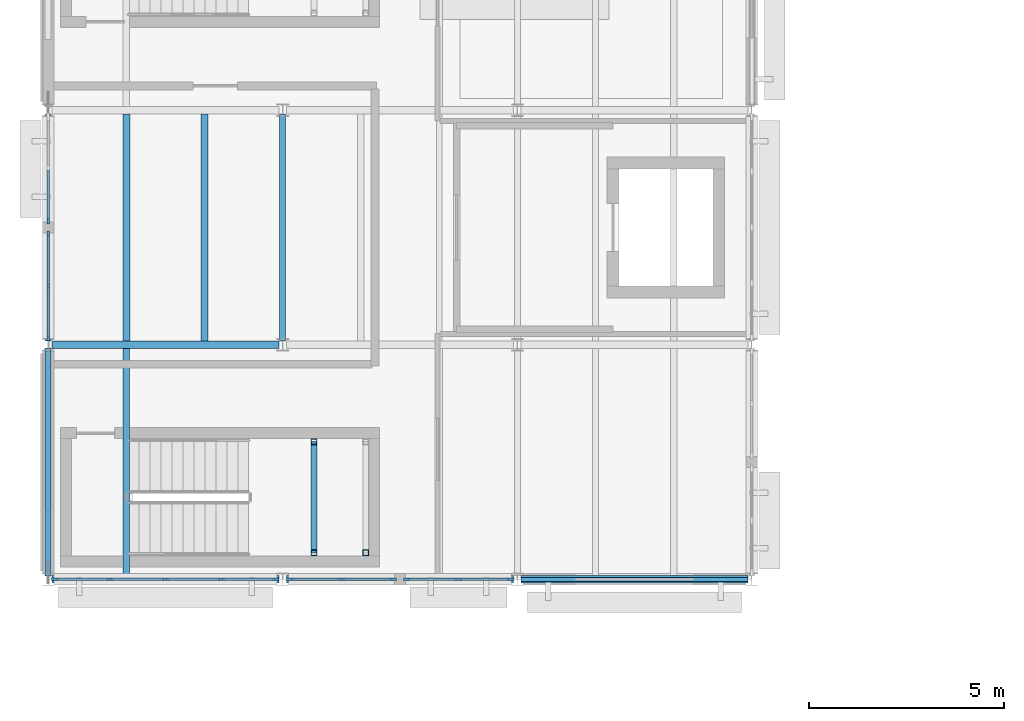
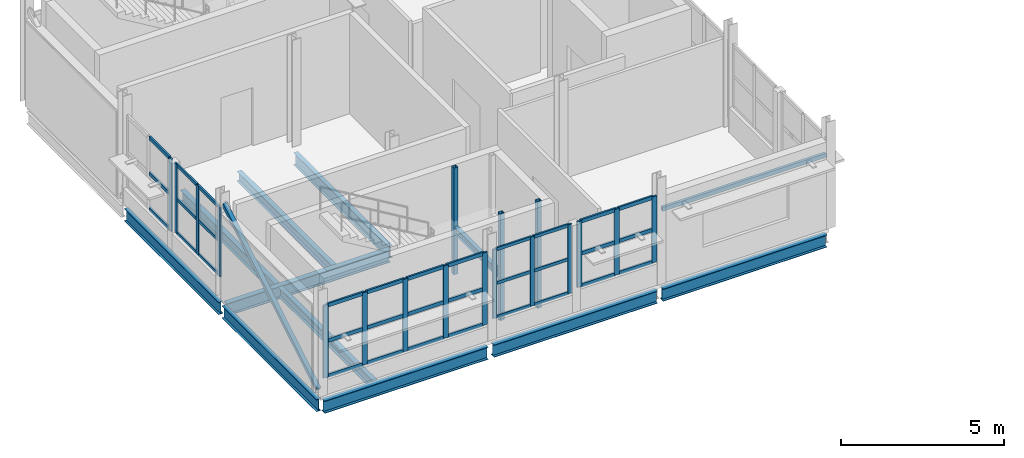
# One storey, part 3 of 23: 52 members, 12 beams, 5 elements without a shape of their own.
"""IFC4 building model written with IfcOpenShell, lengths in metres."""

import ifcopenshell
import ifcopenshell.guid

model = None  # the IFC model being written
_history = None  # IfcOwnerHistory: only IFC2X3 demands one
_inside = {}  # id of a spatial element -> (the spatial element, [elements in it])
_under = {}  # id of a project, library or spatial element -> (it, [spatial elements below it])
_declared = {}  # id of a project -> (the project, [libraries it declares])
_typed = {}  # id of a type object -> (the type object, [elements of that type])
_made_of = {}  # id of a material, layer set ... -> (it, [elements and type objects made of it])


def new_model(schema):
    """Start an empty IFC model of exactly this schema.

    Asked for "IFC4X3", IfcOpenShell would pick the latest addendum, in which some entities
    have other attributes; the version numbers below select the first issue.
    IFC2X3 requires an IfcOwnerHistory on every rooted entity: one is made here for all.
    """
    global model, _history
    if schema == "IFC4X3":
        model = ifcopenshell.file(schema_version=(4, 3, 0, 0))
    else:
        model = ifcopenshell.file(schema=schema)
    _inside.clear()
    _under.clear()
    _declared.clear()
    _typed.clear()
    _made_of.clear()
    _history = None
    if model.schema == "IFC2X3":
        org = make("IfcOrganization", Name="unknown")
        user = make(
            "IfcPersonAndOrganization",
            ThePerson=make("IfcPerson", FamilyName="unknown"),
            TheOrganization=org,
        )
        app = make(
            "IfcApplication",
            ApplicationDeveloper=org,
            Version="unknown",
            ApplicationFullName="unknown",
            ApplicationIdentifier="unknown",
        )
        _history = make(
            "IfcOwnerHistory",
            OwningUser=user,
            OwningApplication=app,
            ChangeAction="ADDED",
            CreationDate=0,
        )
    return model


def make(cls, **values):
    """One entity of the class cls with the attributes given. An attribute that is None is left unset."""
    return model.create_entity(
        cls, **{name: value for name, value in values.items() if value is not None}
    )


def rooted(cls, **values):
    """An entity with a GlobalId (a new one), such as an element, a storey or a relation."""
    return make(cls, GlobalId=ifcopenshell.guid.new(), OwnerHistory=_history, **values)


def si_unit(unit_type, name, prefix=None):
    """IfcSIUnit, for example si_unit("LENGTHUNIT", "METRE", prefix="MILLI")."""
    return make("IfcSIUnit", UnitType=unit_type, Prefix=prefix, Name=name)


def assignment(units):
    """IfcUnitAssignment: the units of a project."""
    return None if units is None else make("IfcUnitAssignment", Units=units)


def point(xyz):
    """IfcCartesianPoint."""
    return None if xyz is None else make("IfcCartesianPoint", Coordinates=xyz)


def direction(xyz):
    """IfcDirection."""
    return None if xyz is None else make("IfcDirection", DirectionRatios=xyz)


def frame(location, z_axis=None, x_axis=None):
    """IfcAxis2Placement3D, a coordinate frame: its origin and axes. An axis left out is left unset."""
    return make(
        "IfcAxis2Placement3D",
        Location=point(location),
        Axis=direction(z_axis),
        RefDirection=direction(x_axis),
    )


def frame_2d(location, x_axis=None):
    """IfcAxis2Placement2D, a coordinate frame in the plane: its origin and x axis."""
    return make(
        "IfcAxis2Placement2D", Location=point(location), RefDirection=direction(x_axis)
    )


def origin():
    """The frame at (0, 0, 0) with its axes left unset."""
    return frame((0.0, 0.0, 0.0))


def origin_2d():
    """The frame at (0, 0) in the plane with its x axis left unset."""
    return frame_2d((0.0, 0.0))


def place(relative_to, where):
    """IfcLocalPlacement: puts the frame where relative to a parent placement (None: the world)."""
    return make(
        "IfcLocalPlacement", PlacementRelTo=relative_to, RelativePlacement=where
    )


def context(
    kind, dimensions, precision=None, world=None, true_north=None, identifier=None
):
    """IfcGeometricRepresentationContext, for example the 3D "Model" context."""
    return make(
        "IfcGeometricRepresentationContext",
        ContextIdentifier=identifier,
        ContextType=kind,
        CoordinateSpaceDimension=dimensions,
        Precision=precision,
        WorldCoordinateSystem=world,
        TrueNorth=true_north,
    )


def subcontext(parent, identifier, kind, view, scale=None):
    """IfcGeometricRepresentationSubContext, for example "Body" below "Model"."""
    return make(
        "IfcGeometricRepresentationSubContext",
        ContextIdentifier=identifier,
        ContextType=kind,
        ParentContext=parent,
        TargetScale=scale,
        TargetView=view,
    )


def project(units=None, contexts=None):
    """IfcProject with its units and contexts."""
    return rooted(
        "IfcProject",
        Name="project",
        RepresentationContexts=contexts,
        UnitsInContext=assignment(units),
    )


def spatial(cls, under=None, at=None, **own):
    """A site, building, storey or space (cls), placed at a placement, below another one or the project."""
    s = rooted(cls, ObjectPlacement=at, **own)
    if under is not None:
        _under.setdefault(under.id(), (under, []))[1].append(s)
    return s


def profile(cls, at=None, kind="AREA", **sizes):
    """A parametric profile (cls). Its sizes go by their IFC names, for example OverallWidth=200.0."""
    return make(cls, ProfileType=kind, Position=at, **sizes)


def rectangle(**sizes):
    """IfcRectangleProfileDef."""
    return profile("IfcRectangleProfileDef", **sizes)


def hollow_rectangle(**sizes):
    """IfcRectangleHollowProfileDef."""
    return profile("IfcRectangleHollowProfileDef", **sizes)


def i_section(**sizes):
    """IfcIShapeProfileDef."""
    return profile("IfcIShapeProfileDef", **sizes)


def extrude(swept, where, along, depth):
    """IfcExtrudedAreaSolid: the profile swept, set in the frame where, extruded along a direction by depth."""
    return make(
        "IfcExtrudedAreaSolid",
        SweptArea=swept,
        Position=where,
        ExtrudedDirection=direction(along),
        Depth=depth,
    )


def shape(context_of_items, identifier, shape_type, items):
    """IfcShapeRepresentation: the items that make up one representation, for example the "Body"."""
    return make(
        "IfcShapeRepresentation",
        ContextOfItems=context_of_items,
        RepresentationIdentifier=identifier,
        RepresentationType=shape_type,
        Items=items,
    )


def material(Name=None, Category=None):
    """IfcMaterial."""
    return make("IfcMaterial", Name=Name, Category=Category)


def material_profile(
    of_material, cross_section, Name=None, Category=None, Priority=None
):
    """IfcMaterialProfile: a cross section and its material."""
    return make(
        "IfcMaterialProfile",
        Name=Name,
        Material=of_material,
        Profile=cross_section,
        Priority=Priority,
        Category=Category,
    )


def profile_set(profiles, Name=None, composite=None):
    """IfcMaterialProfileSet."""
    return make(
        "IfcMaterialProfileSet",
        Name=Name,
        MaterialProfiles=profiles,
        CompositeProfile=composite,
    )


def made_of(thing, what):
    """Note that an element or type object is made of a material, layer set ...; save() writes the relation."""
    if what is not None:
        _made_of.setdefault(what.id(), (what, []))[1].append(thing)
    return thing


def type_object(cls, material=None, **own):
    """A type object (cls), such as IfcWallType, which elements share."""
    return made_of(rooted(cls, **own), material)


def element(
    cls,
    number,
    at=None,
    inside=None,
    cuts=None,
    type_object=None,
    material=None,
    context=None,
    identifier="Body",
    shape_type=None,
    held_by="IfcProductDefinitionShape",
    body=None,
    shapes=None,
    **own,
):
    """One element of the class cls, such as IfcWall. Its Tag is "e" and its number.

    at: its placement. inside: the storey or other place that contains it. cuts: it is an
    opening in that element (IfcRelVoidsElement). A single representation is given by context,
    identifier, shape_type and body (its items); several are given by shapes. held_by: the class
    of the entity that holds the representations. save() writes the other relations.
    """
    e = rooted(cls, Tag="e%d" % number, ObjectPlacement=at, **own)
    if body is not None:
        shapes = [shape(context, identifier, shape_type, body)]
    if shapes is not None:
        e.Representation = make(held_by, Representations=shapes)
    if inside is not None:
        _inside.setdefault(inside.id(), (inside, []))[1].append(e)
    if cuts is not None:
        rooted(
            "IfcRelVoidsElement", RelatingBuildingElement=cuts, RelatedOpeningElement=e
        )
    if type_object is not None:
        _typed.setdefault(type_object.id(), (type_object, []))[1].append(e)
    return made_of(e, material)


def aggregate(whole, parts):
    """IfcRelAggregates: a whole, such as a stair, and the parts it consists of."""
    return rooted("IfcRelAggregates", RelatingObject=whole, RelatedObjects=parts)


def save(model, path):
    """Write the relations noted so far, then the file.

    IfcRelAggregates (storeys below a building ...), IfcRelContainedInSpatialStructure (elements
    in a storey), IfcRelDefinesByType, IfcRelAssociatesMaterial and IfcRelDeclares: one each for
    every whole, place, type object, material and project.
    """
    for whole, parts in _under.values():
        aggregate(whole, parts)
    for where, things in _inside.values():
        rooted(
            "IfcRelContainedInSpatialStructure",
            RelatedElements=things,
            RelatingStructure=where,
        )
    for kind, things in _typed.values():
        rooted("IfcRelDefinesByType", RelatedObjects=things, RelatingType=kind)
    for what, things in _made_of.values():
        rooted("IfcRelAssociatesMaterial", RelatedObjects=things, RelatingMaterial=what)
    for by, libraries in _declared.values():
        rooted("IfcRelDeclares", RelatingContext=by, RelatedDefinitions=libraries)
    model.write(path)


model = new_model("IFC4")

# Units and contexts
model_context = context("Model", 3, precision=1e-05, world=origin(), true_north=direction((0.0, 1.0)))
body_context = subcontext(model_context, "Body", "Model", "MODEL_VIEW")
ifc_project = project(units=[si_unit("LENGTHUNIT", "METRE"), si_unit("AREAUNIT", "SQUARE_METRE"), si_unit("VOLUMEUNIT", "CUBIC_METRE"), si_unit("PLANEANGLEUNIT", "RADIAN"), si_unit("MASSUNIT", "GRAM", prefix="KILO")], contexts=[model_context])

# Site, building, storey
site_placement = place(None, origin())
site = spatial("IfcSite", under=ifc_project, at=site_placement, CompositionType="ELEMENT")
building_placement = place(site_placement, origin())
building = spatial("IfcBuilding", under=site, at=building_placement, Name="Siltcreek Boulevard Central Fire Station", CompositionType="ELEMENT")
storey_placement = place(building_placement, frame((0.0, 0.0, 14.0)))
storey = spatial("IfcBuildingStorey", under=building, at=storey_placement, Name="L04", CompositionType="ELEMENT", Elevation=14.0)

# Beams
ifc_material_1 = material(Name="Structural steel ASTM A992 Gr50", Category="steel")
ifc_material_profile_1 = material_profile(ifc_material_1, i_section(OverallWidth=0.154052734375, OverallDepth=0.458984375, WebThickness=0.009033203125, FlangeThickness=0.015380859375, at=origin_2d()), Name="W460X68")
ifc_profile_set_1 = profile_set([ifc_material_profile_1], Name="Structural steel ASTM A992 Gr50")
beam_type_1 = type_object("IfcBeamType", Name="BM_W460X68", PredefinedType="BEAM", material=ifc_profile_set_1)
for number, where, z_axis, x_axis, name in (
    (1, (42.0, 94.300048828125, -0.489501953125), (0.0, 1.0, 0.0), (-1.0, 0.0, 0.0), "L04 primary steel girder GY-0528"),
    (2, (42.0, 100.300048828125, -0.489501953125), (0.0, 1.0, 0.0), (-1.0, 0.0, 0.0), "L04 primary steel girder GY-0529"),
    (3, (48.0, 100.300048828125, -0.489501953125), (0.0, 1.0, 0.0), (-1.0, 0.0, 0.0), "L04 primary steel girder GY-0531"),
):
    element("IfcBeam", number, at=place(storey_placement, frame(where, z_axis=z_axis, x_axis=x_axis)), inside=storey, type_object=beam_type_1, Name=name, PredefinedType="BEAM", context=body_context, shape_type="SweptSolid", body=[
        extrude(i_section(OverallWidth=0.154052734375, OverallDepth=0.458984375, WebThickness=0.009033203125, FlangeThickness=0.015380859375, at=origin_2d()), origin(), (0.0, 0.0, 1.0), 5.800048828125),
    ])
ifc_material_profile_2 = material_profile(ifc_material_1, i_section(OverallWidth=0.19189453125, OverallDepth=0.462890625, WebThickness=0.010498046875, FlangeThickness=0.017578125, at=origin_2d()), Name="W460X89")
ifc_profile_set_2 = profile_set([ifc_material_profile_2], Name="Structural steel ASTM A992 Gr50")
beam_type_2 = type_object("IfcBeamType", Name="BM_W460X89", PredefinedType="BEAM", material=ifc_profile_set_2)
for number, where, z_axis, x_axis, name in (
    (4, (42.10009765625, 94.199951171875, -0.491455078125), (1.0, 0.0, 0.0), (0.0, 1.0, 0.0), "L04 primary steel girder GX-0516"),
    (5, (48.10009765625, 94.199951171875, -0.491455078125), (1.0, 0.0, 0.0), (0.0, 1.0, 0.0), "L04 primary steel girder GX-0517"),
    (6, (54.10009765625, 94.199951171875, -0.491455078125), (1.0, 0.0, 0.0), (0.0, 1.0, 0.0), "L04 primary steel girder GX-0518"),
    (7, (42.10009765625, 100.199951171875, -0.491455078125), (1.0, 0.0, 0.0), (0.0, 1.0, 0.0), "L04 primary steel girder GX-0519"),
):
    element("IfcBeam", number, at=place(storey_placement, frame(where, z_axis=z_axis, x_axis=x_axis)), inside=storey, type_object=beam_type_2, Name=name, PredefinedType="BEAM", context=body_context, shape_type="SweptSolid", body=[
        extrude(i_section(OverallWidth=0.19189453125, OverallDepth=0.462890625, WebThickness=0.010498046875, FlangeThickness=0.017578125, at=origin_2d()), origin(), (0.0, 0.0, 1.0), 5.7998046875),
    ])

# Members
ifc_material_2 = material(Name="Structural steel ASTM A500 GrC", Category="steel")
ifc_material_profile_3 = material_profile(ifc_material_2, hollow_rectangle(XDim=0.14990234375, YDim=0.14990234375, WallThickness=0.008056640625, at=origin_2d()), Name="HSS150X150X8.0")
ifc_profile_set_3 = profile_set([ifc_material_profile_3], Name="Structural steel ASTM A500 GrC")
member_type_1 = type_object("IfcMemberType", Name="BR_HSS150_8", PredefinedType="BRACE", material=ifc_profile_set_3)
member_1_placement = place(storey_placement, frame((42.0, 94.320068359375, 0.10009765625), z_axis=(0.0, 0.857890513261, 0.513832528415), x_axis=(-1.0, 0.0, 0.0)))
element("IfcMember", 8, at=member_1_placement, inside=storey, type_object=member_type_1, Name="L04 SCBF concentrically braced frame BR-016", PredefinedType="BRACE", context=body_context, shape_type="SweptSolid", body=[
    extrude(hollow_rectangle(XDim=0.14990234375, YDim=0.14990234375, WallThickness=0.008056640625, at=origin_2d()), origin(), (0.0, 0.0, 1.0), 6.714111328125),
])
for number, where, z_axis, x_axis, name in (
    (9, (48.800048828125, 94.8798828125, 0.0), (0.0, 0.0, 1.0), (1.0, 0.0, 0.0), "L04 ST-V3A stair landing corner post SW"),
    (10, (48.800048828125, 97.719970703125, 0.0), (0.0, 0.0, 1.0), (1.0, 0.0, 0.0), "L04 ST-V3A stair landing corner post NW"),
    (11, (50.1201171875, 94.8798828125, 0.0), (0.0, 0.0, 1.0), (1.0, 0.0, 0.0), "L04 ST-V3A stair landing corner post SE"),
):
    element("IfcMember", number, at=place(storey_placement, frame(where, z_axis=z_axis, x_axis=x_axis)), inside=storey, type_object=member_type_1, Name=name, PredefinedType="BRACE", context=body_context, shape_type="SweptSolid", body=[
        extrude(hollow_rectangle(XDim=0.14990234375, YDim=0.14990234375, WallThickness=0.008056640625, at=origin_2d()), origin(), (0.0, 0.0, 1.0), 4.0),
    ])

# Curtain wall, members
ifc_material_3 = material(Name="Anodized aluminum and low-E insulated glazing", Category="aluminium")
curtain_wall_type_1 = type_object("IfcCurtainWallType", Name="CW_SYS_28", PredefinedType="USERDEFINED", material=ifc_material_3)
curtain_wall_1_placement = place(storey_placement, origin())
curtain_wall_1 = element("IfcCurtainWall", 12, at=curtain_wall_1_placement, inside=storey, type_object=curtain_wall_type_1, Name="L04 V3 unitised curtain wall CW-057", ObjectType="CURTAIN WALL", PredefinedType="USERDEFINED")
ifc_material_4 = material(Name="Anodized 6063-T6 aluminum framing", Category="aluminium")
ifc_material_profile_4 = material_profile(ifc_material_4, rectangle(XDim=0.06005859375, YDim=0.14990234375, at=origin_2d()), Name="MULL60X150")
ifc_profile_set_4 = profile_set([ifc_material_profile_4], Name="Anodized 6063-T6 aluminum framing")
member_type_2 = type_object("IfcMemberType", Name="CWM_60X150", PredefinedType="MULLION", material=ifc_profile_set_4)
member_2_placement = place(storey_placement, frame((48.175048828125, 94.199951171875, 0.679931640625), z_axis=(0.0, 0.0, 1.0), x_axis=(0.0, 1.0, 0.0)))
member_2 = element("IfcMember", 13, at=member_2_placement, type_object=member_type_2, Name="CW-057 mullion 1", PredefinedType="MULLION", context=body_context, shape_type="SweptSolid", body=[
    extrude(rectangle(XDim=0.06005859375, YDim=0.14990234375, at=origin_2d()), origin(), (0.0, 0.0, 1.0), 2.589111328125),
])
member_3_placement = place(storey_placement, frame((49.50244140625, 94.199951171875, 0.679931640625), z_axis=(0.0, 0.0, 1.0), x_axis=(0.0, 1.0, 0.0)))
member_3 = element("IfcMember", 14, at=member_3_placement, type_object=member_type_2, Name="CW-057 mullion 2", PredefinedType="MULLION", context=body_context, shape_type="SweptSolid", body=[
    extrude(rectangle(XDim=0.06005859375, YDim=0.14990234375, at=origin_2d()), origin(), (0.0, 0.0, 1.0), 2.589111328125),
])
member_4_placement = place(storey_placement, frame((50.830078125, 94.199951171875, 0.679931640625), z_axis=(0.0, 0.0, 1.0), x_axis=(0.0, 1.0, 0.0)))
member_4 = element("IfcMember", 15, at=member_4_placement, type_object=member_type_2, Name="CW-057 mullion 3", PredefinedType="MULLION", context=body_context, shape_type="SweptSolid", body=[
    extrude(rectangle(XDim=0.06005859375, YDim=0.14990234375, at=origin_2d()), origin(), (0.0, 0.0, 1.0), 2.589111328125),
])

curtain_wall_type_2 = type_object("IfcCurtainWallType", Name="CW_SYS_04", PredefinedType="USERDEFINED", material=ifc_material_3)
curtain_wall_2_placement = place(storey_placement, origin())
curtain_wall_2 = element("IfcCurtainWall", 16, at=curtain_wall_2_placement, inside=storey, type_object=curtain_wall_type_2, Name="L04 V3 unitised curtain wall CW-063", ObjectType="CURTAIN WALL", PredefinedType="USERDEFINED")
member_5_placement = place(storey_placement, frame((42.0, 103.030029296875, 0.679931640625), z_axis=(0.0, 0.0, 1.0), x_axis=(1.0, 0.0, 0.0)))
member_5 = element("IfcMember", 17, at=member_5_placement, type_object=member_type_2, Name="CW-063 mullion 1", PredefinedType="MULLION", context=body_context, shape_type="SweptSolid", body=[
    extrude(rectangle(XDim=0.06005859375, YDim=0.14990234375, at=origin_2d()), origin(), (0.0, 0.0, 1.0), 2.593017578125),
])
member_6_placement = place(storey_placement, frame((42.0, 101.702392578125, 0.679931640625), z_axis=(0.0, 0.0, 1.0), x_axis=(1.0, 0.0, 0.0)))
member_6 = element("IfcMember", 18, at=member_6_placement, type_object=member_type_2, Name="CW-063 mullion 2", PredefinedType="MULLION", context=body_context, shape_type="SweptSolid", body=[
    extrude(rectangle(XDim=0.06005859375, YDim=0.14990234375, at=origin_2d()), origin(), (0.0, 0.0, 1.0), 2.593017578125),
])
member_7_placement = place(storey_placement, frame((42.0, 100.375, 0.679931640625), z_axis=(0.0, 0.0, 1.0), x_axis=(1.0, 0.0, 0.0)))
member_7 = element("IfcMember", 19, at=member_7_placement, type_object=member_type_2, Name="CW-063 mullion 3", PredefinedType="MULLION", context=body_context, shape_type="SweptSolid", body=[
    extrude(rectangle(XDim=0.06005859375, YDim=0.14990234375, at=origin_2d()), origin(), (0.0, 0.0, 1.0), 2.593017578125),
])

curtain_wall_type_3 = type_object("IfcCurtainWallType", Name="CW_SYS_27", PredefinedType="USERDEFINED", material=ifc_material_3)
curtain_wall_3_placement = place(storey_placement, origin())
curtain_wall_3 = element("IfcCurtainWall", 20, at=curtain_wall_3_placement, inside=storey, type_object=curtain_wall_type_3, Name="L04 V3 unitised curtain wall CW-056", ObjectType="CURTAIN WALL", PredefinedType="USERDEFINED")
ifc_material_profile_5 = material_profile(ifc_material_4, rectangle(XDim=0.06494140625, YDim=0.175048828125, at=origin_2d()), Name="MULL65X175")
ifc_profile_set_5 = profile_set([ifc_material_profile_5], Name="Anodized 6063-T6 aluminum framing")
member_type_3 = type_object("IfcMemberType", Name="CWM_65X175", PredefinedType="MULLION", material=ifc_profile_set_5)
member_8_placement = place(storey_placement, frame((42.177490234375, 94.199951171875, 0.56005859375), z_axis=(0.0, 0.0, 1.0), x_axis=(0.0, 1.0, 0.0)))
member_8 = element("IfcMember", 21, at=member_8_placement, type_object=member_type_3, Name="CW-056 mullion 1", PredefinedType="MULLION", context=body_context, shape_type="SweptSolid", body=[
    extrude(rectangle(XDim=0.06494140625, YDim=0.175048828125, at=origin_2d()), origin(), (0.0, 0.0, 1.0), 2.708984375),
])
member_9_placement = place(storey_placement, frame((43.572509765625, 94.199951171875, 0.56005859375), z_axis=(0.0, 0.0, 1.0), x_axis=(0.0, 1.0, 0.0)))
member_9 = element("IfcMember", 22, at=member_9_placement, type_object=member_type_3, Name="CW-056 mullion 2", PredefinedType="MULLION", context=body_context, shape_type="SweptSolid", body=[
    extrude(rectangle(XDim=0.06494140625, YDim=0.175048828125, at=origin_2d()), origin(), (0.0, 0.0, 1.0), 2.708984375),
])
member_10_placement = place(storey_placement, frame((45.0, 94.199951171875, 0.56005859375), z_axis=(0.0, 0.0, 1.0), x_axis=(0.0, 1.0, 0.0)))
member_10 = element("IfcMember", 23, at=member_10_placement, type_object=member_type_3, Name="CW-056 mullion 3", PredefinedType="MULLION", context=body_context, shape_type="SweptSolid", body=[
    extrude(rectangle(XDim=0.06494140625, YDim=0.175048828125, at=origin_2d()), origin(), (0.0, 0.0, 1.0), 2.708984375),
])
member_11_placement = place(storey_placement, frame((46.427490234375, 94.199951171875, 0.56005859375), z_axis=(0.0, 0.0, 1.0), x_axis=(0.0, 1.0, 0.0)))
member_11 = element("IfcMember", 24, at=member_11_placement, type_object=member_type_3, Name="CW-056 mullion 4", PredefinedType="MULLION", context=body_context, shape_type="SweptSolid", body=[
    extrude(rectangle(XDim=0.06494140625, YDim=0.175048828125, at=origin_2d()), origin(), (0.0, 0.0, 1.0), 2.708984375),
])
member_12_placement = place(storey_placement, frame((47.822509765625, 94.199951171875, 0.56005859375), z_axis=(0.0, 0.0, 1.0), x_axis=(0.0, 1.0, 0.0)))
member_12 = element("IfcMember", 25, at=member_12_placement, type_object=member_type_3, Name="CW-056 mullion 5", PredefinedType="MULLION", context=body_context, shape_type="SweptSolid", body=[
    extrude(rectangle(XDim=0.06494140625, YDim=0.175048828125, at=origin_2d()), origin(), (0.0, 0.0, 1.0), 2.708984375),
])

curtain_wall_type_4 = type_object("IfcCurtainWallType", Name="CW_SYS_29", PredefinedType="USERDEFINED", material=ifc_material_3)
curtain_wall_4_placement = place(storey_placement, origin())
curtain_wall_4 = element("IfcCurtainWall", 26, at=curtain_wall_4_placement, inside=storey, type_object=curtain_wall_type_4, Name="L04 V3 unitised curtain wall CW-058", ObjectType="CURTAIN WALL", PredefinedType="USERDEFINED")
member_13_placement = place(storey_placement, frame((51.172607421875, 94.199951171875, 0.800048828125), z_axis=(0.0, 0.0, 1.0), x_axis=(0.0, 1.0, 0.0)))
member_13 = element("IfcMember", 27, at=member_13_placement, type_object=member_type_3, Name="CW-058 mullion 1", PredefinedType="MULLION", context=body_context, shape_type="SweptSolid", body=[
    extrude(rectangle(XDim=0.06494140625, YDim=0.175048828125, at=origin_2d()), origin(), (0.0, 0.0, 1.0), 2.468994140625),
])
member_14_placement = place(storey_placement, frame((52.49755859375, 94.199951171875, 0.800048828125), z_axis=(0.0, 0.0, 1.0), x_axis=(0.0, 1.0, 0.0)))
member_14 = element("IfcMember", 28, at=member_14_placement, type_object=member_type_3, Name="CW-058 mullion 2", PredefinedType="MULLION", context=body_context, shape_type="SweptSolid", body=[
    extrude(rectangle(XDim=0.06494140625, YDim=0.175048828125, at=origin_2d()), origin(), (0.0, 0.0, 1.0), 2.468994140625),
])
member_15_placement = place(storey_placement, frame((53.822509765625, 94.199951171875, 0.800048828125), z_axis=(0.0, 0.0, 1.0), x_axis=(0.0, 1.0, 0.0)))
member_15 = element("IfcMember", 29, at=member_15_placement, type_object=member_type_3, Name="CW-058 mullion 3", PredefinedType="MULLION", context=body_context, shape_type="SweptSolid", body=[
    extrude(rectangle(XDim=0.06494140625, YDim=0.175048828125, at=origin_2d()), origin(), (0.0, 0.0, 1.0), 2.468994140625),
])

# Curtain wall, member
curtain_wall_type_5 = type_object("IfcCurtainWallType", Name="CW_SYS_03", PredefinedType="USERDEFINED", material=ifc_material_3)
curtain_wall_5_placement = place(storey_placement, origin())
curtain_wall_5 = element("IfcCurtainWall", 30, at=curtain_wall_5_placement, inside=storey, type_object=curtain_wall_type_5, Name="L04 V3 unitised curtain wall CW-062", ObjectType="CURTAIN WALL", PredefinedType="USERDEFINED")
member_16_placement = place(storey_placement, frame((42.0, 103.37255859375, 0.56005859375), z_axis=(0.0, 0.0, 1.0), x_axis=(1.0, 0.0, 0.0)))
member_16 = element("IfcMember", 31, at=member_16_placement, type_object=member_type_3, Name="CW-062 mullion 3", PredefinedType="MULLION", context=body_context, shape_type="SweptSolid", body=[
    extrude(rectangle(XDim=0.06494140625, YDim=0.175048828125, at=origin_2d()), origin(), (0.0, 0.0, 1.0), 2.712890625),
])

# Member
ifc_material_profile_6 = material_profile(ifc_material_4, rectangle(XDim=0.06005859375, YDim=0.114990234375, at=origin_2d()), Name="TRAN60X115")
ifc_profile_set_6 = profile_set([ifc_material_profile_6], Name="Anodized 6063-T6 aluminum framing")
member_type_4 = type_object("IfcMemberType", Name="CWT_60X115", PredefinedType="USERDEFINED", material=ifc_profile_set_6)
member_17_placement = place(storey_placement, frame((48.205078125, 94.199951171875, 0.7099609375), z_axis=(1.0, 0.0, 0.0), x_axis=(0.0, 1.0, 0.0)))
member_17 = element("IfcMember", 32, at=member_17_placement, type_object=member_type_4, Name="CW-057 transom 1.1", ObjectType="TRANSOM", PredefinedType="USERDEFINED", context=body_context, shape_type="SweptSolid", body=[
    extrude(rectangle(XDim=0.06005859375, YDim=0.114990234375, at=origin_2d()), origin(), (0.0, 0.0, 1.0), 1.267333984375),
])

member_18_placement = place(storey_placement, frame((48.205078125, 94.199951171875, 1.974609375), z_axis=(1.0, 0.0, 0.0), x_axis=(0.0, 1.0, 0.0)))
member_18 = element("IfcMember", 33, at=member_18_placement, type_object=member_type_4, Name="CW-057 transom 1.2", ObjectType="TRANSOM", PredefinedType="USERDEFINED", context=body_context, shape_type="SweptSolid", body=[
    extrude(rectangle(XDim=0.06005859375, YDim=0.114990234375, at=origin_2d()), origin(), (0.0, 0.0, 1.0), 1.267333984375),
])

member_19_placement = place(storey_placement, frame((48.205078125, 94.199951171875, 3.239013671875), z_axis=(1.0, 0.0, 0.0), x_axis=(0.0, 1.0, 0.0)))
member_19 = element("IfcMember", 34, at=member_19_placement, type_object=member_type_4, Name="CW-057 transom 1.3", ObjectType="TRANSOM", PredefinedType="USERDEFINED", context=body_context, shape_type="SweptSolid", body=[
    extrude(rectangle(XDim=0.06005859375, YDim=0.114990234375, at=origin_2d()), origin(), (0.0, 0.0, 1.0), 1.267333984375),
])

member_20_placement = place(storey_placement, frame((49.532470703125, 94.199951171875, 0.7099609375), z_axis=(1.0, 0.0, 0.0), x_axis=(0.0, 1.0, 0.0)))
member_20 = element("IfcMember", 35, at=member_20_placement, type_object=member_type_4, Name="CW-057 transom 2.1", ObjectType="TRANSOM", PredefinedType="USERDEFINED", context=body_context, shape_type="SweptSolid", body=[
    extrude(rectangle(XDim=0.06005859375, YDim=0.114990234375, at=origin_2d()), origin(), (0.0, 0.0, 1.0), 1.267578125),
])

member_21_placement = place(storey_placement, frame((49.532470703125, 94.199951171875, 1.974609375), z_axis=(1.0, 0.0, 0.0), x_axis=(0.0, 1.0, 0.0)))
member_21 = element("IfcMember", 36, at=member_21_placement, type_object=member_type_4, Name="CW-057 transom 2.2", ObjectType="TRANSOM", PredefinedType="USERDEFINED", context=body_context, shape_type="SweptSolid", body=[
    extrude(rectangle(XDim=0.06005859375, YDim=0.114990234375, at=origin_2d()), origin(), (0.0, 0.0, 1.0), 1.267578125),
])

member_22_placement = place(storey_placement, frame((49.532470703125, 94.199951171875, 3.239013671875), z_axis=(1.0, 0.0, 0.0), x_axis=(0.0, 1.0, 0.0)))
member_22 = element("IfcMember", 37, at=member_22_placement, type_object=member_type_4, Name="CW-057 transom 2.3", ObjectType="TRANSOM", PredefinedType="USERDEFINED", context=body_context, shape_type="SweptSolid", body=[
    extrude(rectangle(XDim=0.06005859375, YDim=0.114990234375, at=origin_2d()), origin(), (0.0, 0.0, 1.0), 1.267578125),
])

aggregate(curtain_wall_1, [member_2, member_3, member_4, member_17, member_18, member_19, member_20, member_21, member_22])

member_23_placement = place(storey_placement, frame((42.0, 103.0, 0.7099609375), z_axis=(0.0, -1.0, 0.0), x_axis=(1.0, 0.0, 0.0)))
member_23 = element("IfcMember", 38, at=member_23_placement, type_object=member_type_4, Name="CW-063 transom 1.1", ObjectType="TRANSOM", PredefinedType="USERDEFINED", context=body_context, shape_type="SweptSolid", body=[
    extrude(rectangle(XDim=0.06005859375, YDim=0.114990234375, at=origin_2d()), origin(), (0.0, 0.0, 1.0), 1.267578125),
])

member_24_placement = place(storey_placement, frame((42.0, 103.0, 1.9765625), z_axis=(0.0, -1.0, 0.0), x_axis=(1.0, 0.0, 0.0)))
member_24 = element("IfcMember", 39, at=member_24_placement, type_object=member_type_4, Name="CW-063 transom 1.2", ObjectType="TRANSOM", PredefinedType="USERDEFINED", context=body_context, shape_type="SweptSolid", body=[
    extrude(rectangle(XDim=0.06005859375, YDim=0.114990234375, at=origin_2d()), origin(), (0.0, 0.0, 1.0), 1.267578125),
])

member_25_placement = place(storey_placement, frame((42.0, 103.0, 3.242919921875), z_axis=(0.0, -1.0, 0.0), x_axis=(1.0, 0.0, 0.0)))
member_25 = element("IfcMember", 40, at=member_25_placement, type_object=member_type_4, Name="CW-063 transom 1.3", ObjectType="TRANSOM", PredefinedType="USERDEFINED", context=body_context, shape_type="SweptSolid", body=[
    extrude(rectangle(XDim=0.06005859375, YDim=0.114990234375, at=origin_2d()), origin(), (0.0, 0.0, 1.0), 1.267578125),
])

member_26_placement = place(storey_placement, frame((42.0, 101.672607421875, 0.7099609375), z_axis=(0.0, -1.0, 0.0), x_axis=(1.0, 0.0, 0.0)))
member_26 = element("IfcMember", 41, at=member_26_placement, type_object=member_type_4, Name="CW-063 transom 2.1", ObjectType="TRANSOM", PredefinedType="USERDEFINED", context=body_context, shape_type="SweptSolid", body=[
    extrude(rectangle(XDim=0.06005859375, YDim=0.114990234375, at=origin_2d()), origin(), (0.0, 0.0, 1.0), 1.267578125),
])

member_27_placement = place(storey_placement, frame((42.0, 101.672607421875, 1.9765625), z_axis=(0.0, -1.0, 0.0), x_axis=(1.0, 0.0, 0.0)))
member_27 = element("IfcMember", 42, at=member_27_placement, type_object=member_type_4, Name="CW-063 transom 2.2", ObjectType="TRANSOM", PredefinedType="USERDEFINED", context=body_context, shape_type="SweptSolid", body=[
    extrude(rectangle(XDim=0.06005859375, YDim=0.114990234375, at=origin_2d()), origin(), (0.0, 0.0, 1.0), 1.267578125),
])

member_28_placement = place(storey_placement, frame((42.0, 101.672607421875, 3.242919921875), z_axis=(0.0, -1.0, 0.0), x_axis=(1.0, 0.0, 0.0)))
member_28 = element("IfcMember", 43, at=member_28_placement, type_object=member_type_4, Name="CW-063 transom 2.3", ObjectType="TRANSOM", PredefinedType="USERDEFINED", context=body_context, shape_type="SweptSolid", body=[
    extrude(rectangle(XDim=0.06005859375, YDim=0.114990234375, at=origin_2d()), origin(), (0.0, 0.0, 1.0), 1.267578125),
])

aggregate(curtain_wall_2, [member_5, member_6, member_7, member_23, member_24, member_25, member_26, member_27, member_28])

ifc_material_profile_7 = material_profile(ifc_material_4, rectangle(XDim=0.06494140625, YDim=0.135009765625, at=origin_2d()), Name="TRAN65X135")
ifc_profile_set_7 = profile_set([ifc_material_profile_7], Name="Anodized 6063-T6 aluminum framing")
member_type_5 = type_object("IfcMemberType", Name="CWT_65X135", PredefinedType="USERDEFINED", material=ifc_profile_set_7)
member_29_placement = place(storey_placement, frame((42.2099609375, 94.199951171875, 0.592529296875), z_axis=(1.0, 0.0, 0.0), x_axis=(0.0, 1.0, 0.0)))
member_29 = element("IfcMember", 44, at=member_29_placement, type_object=member_type_5, Name="CW-056 transom 1.1", ObjectType="TRANSOM", PredefinedType="USERDEFINED", context=body_context, shape_type="SweptSolid", body=[
    extrude(rectangle(XDim=0.06494140625, YDim=0.135009765625, at=origin_2d()), origin(), (0.0, 0.0, 1.0), 1.330078125),
])

member_30_placement = place(storey_placement, frame((42.2099609375, 94.199951171875, 1.91455078125), z_axis=(1.0, 0.0, 0.0), x_axis=(0.0, 1.0, 0.0)))
member_30 = element("IfcMember", 45, at=member_30_placement, type_object=member_type_5, Name="CW-056 transom 1.2", ObjectType="TRANSOM", PredefinedType="USERDEFINED", context=body_context, shape_type="SweptSolid", body=[
    extrude(rectangle(XDim=0.06494140625, YDim=0.135009765625, at=origin_2d()), origin(), (0.0, 0.0, 1.0), 1.330078125),
])

member_31_placement = place(storey_placement, frame((42.2099609375, 94.199951171875, 3.236572265625), z_axis=(1.0, 0.0, 0.0), x_axis=(0.0, 1.0, 0.0)))
member_31 = element("IfcMember", 46, at=member_31_placement, type_object=member_type_5, Name="CW-056 transom 1.3", ObjectType="TRANSOM", PredefinedType="USERDEFINED", context=body_context, shape_type="SweptSolid", body=[
    extrude(rectangle(XDim=0.06494140625, YDim=0.135009765625, at=origin_2d()), origin(), (0.0, 0.0, 1.0), 1.330078125),
])

member_32_placement = place(storey_placement, frame((43.60498046875, 94.199951171875, 0.592529296875), z_axis=(1.0, 0.0, 0.0), x_axis=(0.0, 1.0, 0.0)))
member_32 = element("IfcMember", 47, at=member_32_placement, type_object=member_type_5, Name="CW-056 transom 2.1", ObjectType="TRANSOM", PredefinedType="USERDEFINED", context=body_context, shape_type="SweptSolid", body=[
    extrude(rectangle(XDim=0.06494140625, YDim=0.135009765625, at=origin_2d()), origin(), (0.0, 0.0, 1.0), 1.362548828125),
])

member_33_placement = place(storey_placement, frame((43.60498046875, 94.199951171875, 1.91455078125), z_axis=(1.0, 0.0, 0.0), x_axis=(0.0, 1.0, 0.0)))
member_33 = element("IfcMember", 48, at=member_33_placement, type_object=member_type_5, Name="CW-056 transom 2.2", ObjectType="TRANSOM", PredefinedType="USERDEFINED", context=body_context, shape_type="SweptSolid", body=[
    extrude(rectangle(XDim=0.06494140625, YDim=0.135009765625, at=origin_2d()), origin(), (0.0, 0.0, 1.0), 1.362548828125),
])

member_34_placement = place(storey_placement, frame((43.60498046875, 94.199951171875, 3.236572265625), z_axis=(1.0, 0.0, 0.0), x_axis=(0.0, 1.0, 0.0)))
member_34 = element("IfcMember", 49, at=member_34_placement, type_object=member_type_5, Name="CW-056 transom 2.3", ObjectType="TRANSOM", PredefinedType="USERDEFINED", context=body_context, shape_type="SweptSolid", body=[
    extrude(rectangle(XDim=0.06494140625, YDim=0.135009765625, at=origin_2d()), origin(), (0.0, 0.0, 1.0), 1.362548828125),
])

member_35_placement = place(storey_placement, frame((45.032470703125, 94.199951171875, 0.592529296875), z_axis=(1.0, 0.0, 0.0), x_axis=(0.0, 1.0, 0.0)))
member_35 = element("IfcMember", 50, at=member_35_placement, type_object=member_type_5, Name="CW-056 transom 3.1", ObjectType="TRANSOM", PredefinedType="USERDEFINED", context=body_context, shape_type="SweptSolid", body=[
    extrude(rectangle(XDim=0.06494140625, YDim=0.135009765625, at=origin_2d()), origin(), (0.0, 0.0, 1.0), 1.362548828125),
])

member_36_placement = place(storey_placement, frame((45.032470703125, 94.199951171875, 1.91455078125), z_axis=(1.0, 0.0, 0.0), x_axis=(0.0, 1.0, 0.0)))
member_36 = element("IfcMember", 51, at=member_36_placement, type_object=member_type_5, Name="CW-056 transom 3.2", ObjectType="TRANSOM", PredefinedType="USERDEFINED", context=body_context, shape_type="SweptSolid", body=[
    extrude(rectangle(XDim=0.06494140625, YDim=0.135009765625, at=origin_2d()), origin(), (0.0, 0.0, 1.0), 1.362548828125),
])

member_37_placement = place(storey_placement, frame((45.032470703125, 94.199951171875, 3.236572265625), z_axis=(1.0, 0.0, 0.0), x_axis=(0.0, 1.0, 0.0)))
member_37 = element("IfcMember", 52, at=member_37_placement, type_object=member_type_5, Name="CW-056 transom 3.3", ObjectType="TRANSOM", PredefinedType="USERDEFINED", context=body_context, shape_type="SweptSolid", body=[
    extrude(rectangle(XDim=0.06494140625, YDim=0.135009765625, at=origin_2d()), origin(), (0.0, 0.0, 1.0), 1.362548828125),
])

member_38_placement = place(storey_placement, frame((46.4599609375, 94.199951171875, 0.592529296875), z_axis=(1.0, 0.0, 0.0), x_axis=(0.0, 1.0, 0.0)))
member_38 = element("IfcMember", 53, at=member_38_placement, type_object=member_type_5, Name="CW-056 transom 4.1", ObjectType="TRANSOM", PredefinedType="USERDEFINED", context=body_context, shape_type="SweptSolid", body=[
    extrude(rectangle(XDim=0.06494140625, YDim=0.135009765625, at=origin_2d()), origin(), (0.0, 0.0, 1.0), 1.330078125),
])

member_39_placement = place(storey_placement, frame((46.4599609375, 94.199951171875, 1.91455078125), z_axis=(1.0, 0.0, 0.0), x_axis=(0.0, 1.0, 0.0)))
member_39 = element("IfcMember", 54, at=member_39_placement, type_object=member_type_5, Name="CW-056 transom 4.2", ObjectType="TRANSOM", PredefinedType="USERDEFINED", context=body_context, shape_type="SweptSolid", body=[
    extrude(rectangle(XDim=0.06494140625, YDim=0.135009765625, at=origin_2d()), origin(), (0.0, 0.0, 1.0), 1.330078125),
])

member_40_placement = place(storey_placement, frame((46.4599609375, 94.199951171875, 3.236572265625), z_axis=(1.0, 0.0, 0.0), x_axis=(0.0, 1.0, 0.0)))
member_40 = element("IfcMember", 55, at=member_40_placement, type_object=member_type_5, Name="CW-056 transom 4.3", ObjectType="TRANSOM", PredefinedType="USERDEFINED", context=body_context, shape_type="SweptSolid", body=[
    extrude(rectangle(XDim=0.06494140625, YDim=0.135009765625, at=origin_2d()), origin(), (0.0, 0.0, 1.0), 1.330078125),
])

aggregate(curtain_wall_3, [member_8, member_9, member_10, member_11, member_12, member_29, member_30, member_31, member_32, member_33, member_34, member_35, member_36, member_37, member_38, member_39, member_40])

member_41_placement = place(storey_placement, frame((51.205078125, 94.199951171875, 0.83251953125), z_axis=(1.0, 0.0, 0.0), x_axis=(0.0, 1.0, 0.0)))
member_41 = element("IfcMember", 56, at=member_41_placement, type_object=member_type_5, Name="CW-058 transom 1.1", ObjectType="TRANSOM", PredefinedType="USERDEFINED", context=body_context, shape_type="SweptSolid", body=[
    extrude(rectangle(XDim=0.06494140625, YDim=0.135009765625, at=origin_2d()), origin(), (0.0, 0.0, 1.0), 1.260009765625),
])

member_42_placement = place(storey_placement, frame((51.205078125, 94.199951171875, 2.034423828125), z_axis=(1.0, 0.0, 0.0), x_axis=(0.0, 1.0, 0.0)))
member_42 = element("IfcMember", 57, at=member_42_placement, type_object=member_type_5, Name="CW-058 transom 1.2", ObjectType="TRANSOM", PredefinedType="USERDEFINED", context=body_context, shape_type="SweptSolid", body=[
    extrude(rectangle(XDim=0.06494140625, YDim=0.135009765625, at=origin_2d()), origin(), (0.0, 0.0, 1.0), 1.260009765625),
])

member_43_placement = place(storey_placement, frame((51.205078125, 94.199951171875, 3.236572265625), z_axis=(1.0, 0.0, 0.0), x_axis=(0.0, 1.0, 0.0)))
member_43 = element("IfcMember", 58, at=member_43_placement, type_object=member_type_5, Name="CW-058 transom 1.3", ObjectType="TRANSOM", PredefinedType="USERDEFINED", context=body_context, shape_type="SweptSolid", body=[
    extrude(rectangle(XDim=0.06494140625, YDim=0.135009765625, at=origin_2d()), origin(), (0.0, 0.0, 1.0), 1.260009765625),
])

member_44_placement = place(storey_placement, frame((52.530029296875, 94.199951171875, 0.83251953125), z_axis=(1.0, 0.0, 0.0), x_axis=(0.0, 1.0, 0.0)))
member_44 = element("IfcMember", 59, at=member_44_placement, type_object=member_type_5, Name="CW-058 transom 2.1", ObjectType="TRANSOM", PredefinedType="USERDEFINED", context=body_context, shape_type="SweptSolid", body=[
    extrude(rectangle(XDim=0.06494140625, YDim=0.135009765625, at=origin_2d()), origin(), (0.0, 0.0, 1.0), 1.260009765625),
])

member_45_placement = place(storey_placement, frame((52.530029296875, 94.199951171875, 2.034423828125), z_axis=(1.0, 0.0, 0.0), x_axis=(0.0, 1.0, 0.0)))
member_45 = element("IfcMember", 60, at=member_45_placement, type_object=member_type_5, Name="CW-058 transom 2.2", ObjectType="TRANSOM", PredefinedType="USERDEFINED", context=body_context, shape_type="SweptSolid", body=[
    extrude(rectangle(XDim=0.06494140625, YDim=0.135009765625, at=origin_2d()), origin(), (0.0, 0.0, 1.0), 1.260009765625),
])

member_46_placement = place(storey_placement, frame((52.530029296875, 94.199951171875, 3.236572265625), z_axis=(1.0, 0.0, 0.0), x_axis=(0.0, 1.0, 0.0)))
member_46 = element("IfcMember", 61, at=member_46_placement, type_object=member_type_5, Name="CW-058 transom 2.3", ObjectType="TRANSOM", PredefinedType="USERDEFINED", context=body_context, shape_type="SweptSolid", body=[
    extrude(rectangle(XDim=0.06494140625, YDim=0.135009765625, at=origin_2d()), origin(), (0.0, 0.0, 1.0), 1.260009765625),
])

aggregate(curtain_wall_4, [member_13, member_14, member_15, member_41, member_42, member_43, member_44, member_45, member_46])

member_47_placement = place(storey_placement, frame((42.0, 104.6650390625, 0.592529296875), z_axis=(0.0, -1.0, 0.0), x_axis=(1.0, 0.0, 0.0)))
member_47 = element("IfcMember", 62, at=member_47_placement, type_object=member_type_5, Name="CW-062 transom 2.1", ObjectType="TRANSOM", PredefinedType="USERDEFINED", context=body_context, shape_type="SweptSolid", body=[
    extrude(rectangle(XDim=0.06494140625, YDim=0.135009765625, at=origin_2d()), origin(), (0.0, 0.0, 1.0), 1.260009765625),
])

member_48_placement = place(storey_placement, frame((42.0, 104.6650390625, 1.91650390625), z_axis=(0.0, -1.0, 0.0), x_axis=(1.0, 0.0, 0.0)))
member_48 = element("IfcMember", 63, at=member_48_placement, type_object=member_type_5, Name="CW-062 transom 2.2", ObjectType="TRANSOM", PredefinedType="USERDEFINED", context=body_context, shape_type="SweptSolid", body=[
    extrude(rectangle(XDim=0.06494140625, YDim=0.135009765625, at=origin_2d()), origin(), (0.0, 0.0, 1.0), 1.260009765625),
])

member_49_placement = place(storey_placement, frame((42.0, 104.6650390625, 3.240478515625), z_axis=(0.0, -1.0, 0.0), x_axis=(1.0, 0.0, 0.0)))
member_49 = element("IfcMember", 64, at=member_49_placement, type_object=member_type_5, Name="CW-062 transom 2.3", ObjectType="TRANSOM", PredefinedType="USERDEFINED", context=body_context, shape_type="SweptSolid", body=[
    extrude(rectangle(XDim=0.06494140625, YDim=0.135009765625, at=origin_2d()), origin(), (0.0, 0.0, 1.0), 1.260009765625),
])

aggregate(curtain_wall_5, [member_16, member_47, member_48, member_49])

# Beams
ifc_material_profile_8 = material_profile(ifc_material_1, i_section(OverallWidth=0.14697265625, OverallDepth=0.261962890625, WebThickness=0.006591796875, FlangeThickness=0.01123046875, at=origin_2d()), Name="W250X39")
ifc_profile_set_8 = profile_set([ifc_material_profile_8], Name="Structural steel ASTM A992 Gr50")
beam_type_3 = type_object("IfcBeamType", Name="JST_W250X39", PredefinedType="JOIST", material=ifc_profile_set_8)
beam_1_placement = place(storey_placement, frame((48.800048828125, 94.8798828125, 1.6689453125), z_axis=(0.0, 1.0, 0.0), x_axis=(-1.0, 0.0, 0.0)))
element("IfcBeam", 65, at=beam_1_placement, inside=storey, type_object=beam_type_3, Name="L04 ST-V3A stair landing bearer MIDW", PredefinedType="JOIST", context=body_context, shape_type="SweptSolid", body=[
    extrude(i_section(OverallWidth=0.14697265625, OverallDepth=0.261962890625, WebThickness=0.006591796875, FlangeThickness=0.01123046875, at=origin_2d()), origin(), (0.0, 0.0, 1.0), 2.840087890625),
])
ifc_material_profile_9 = material_profile(ifc_material_1, i_section(OverallWidth=0.172119140625, OverallDepth=0.35791015625, WebThickness=0.0078125, FlangeThickness=0.01318359375, at=origin_2d()), Name="W360X57")
ifc_profile_set_9 = profile_set([ifc_material_profile_9], Name="Structural steel ASTM A992 Gr50")
beam_type_4 = type_object("IfcBeamType", Name="JST_W360X57", PredefinedType="JOIST", material=ifc_profile_set_9)
for number, where, z_axis, x_axis, name in (
    (66, (44.0, 94.2939453125, -0.43896484375), (0.0, 1.0, 0.0), (-1.0, 0.0, 0.0), "L04 secondary steel floor joist 0447"),
    (67, (46.0, 100.2939453125, -0.43896484375), (0.0, 1.0, 0.0), (-1.0, 0.0, 0.0), "L04 secondary steel floor joist 0452"),
):
    element("IfcBeam", number, at=place(storey_placement, frame(where, z_axis=z_axis, x_axis=x_axis)), inside=storey, type_object=beam_type_4, Name=name, PredefinedType="JOIST", context=body_context, shape_type="SweptSolid", body=[
        extrude(i_section(OverallWidth=0.172119140625, OverallDepth=0.35791015625, WebThickness=0.0078125, FlangeThickness=0.01318359375, at=origin_2d()), origin(), (0.0, 0.0, 1.0), 5.81201171875),
    ])
ifc_material_profile_10 = material_profile(ifc_material_1, i_section(OverallWidth=0.177001953125, OverallDepth=0.403076171875, WebThickness=0.007568359375, FlangeThickness=0.010986328125, at=origin_2d()), Name="W410X53")
ifc_profile_set_10 = profile_set([ifc_material_profile_10], Name="Structural steel ASTM A992 Gr50")
beam_type_5 = type_object("IfcBeamType", Name="JST_W410X53", PredefinedType="JOIST", material=ifc_profile_set_10)
beam_2_placement = place(storey_placement, frame((44.0, 100.2939453125, -0.46142578125), z_axis=(0.0, 1.0, 0.0), x_axis=(-1.0, 0.0, 0.0)))
element("IfcBeam", 68, at=beam_2_placement, inside=storey, type_object=beam_type_5, Name="L04 secondary steel floor joist 0451", PredefinedType="JOIST", context=body_context, shape_type="SweptSolid", body=[
    extrude(i_section(OverallWidth=0.177001953125, OverallDepth=0.403076171875, WebThickness=0.007568359375, FlangeThickness=0.010986328125, at=origin_2d()), origin(), (0.0, 0.0, 1.0), 5.81201171875),
])
ifc_material_profile_11 = material_profile(ifc_material_2, hollow_rectangle(XDim=0.10009765625, YDim=0.14990234375, WallThickness=0.00634765625, at=origin_2d()), Name="HSS150X100X6.4")
ifc_profile_set_11 = profile_set([ifc_material_profile_11], Name="Structural steel ASTM A500 GrC")
beam_type_6 = type_object("IfcBeamType", Name="LIN_HSS150X100", PredefinedType="LINTEL", material=ifc_profile_set_11)
beam_3_placement = place(storey_placement, frame((54.10009765625, 94.199951171875, 2.68994140625), z_axis=(1.0, 0.0, 0.0), x_axis=(0.0, 1.0, 0.0)))
element("IfcBeam", 69, at=beam_3_placement, inside=storey, type_object=beam_type_6, Name="Exterior window steel lintel WLN-25", PredefinedType="LINTEL", context=body_context, shape_type="SweptSolid", body=[
    extrude(hollow_rectangle(XDim=0.10009765625, YDim=0.14990234375, WallThickness=0.00634765625, at=origin_2d()), origin(), (0.0, 0.0, 1.0), 5.7998046875),
])

save(model, "model.ifc")
